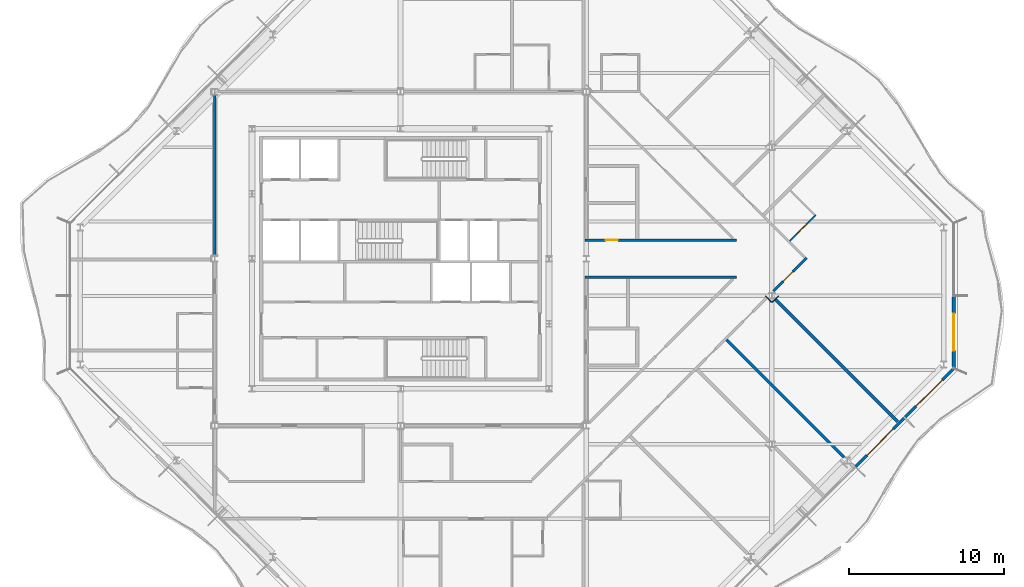
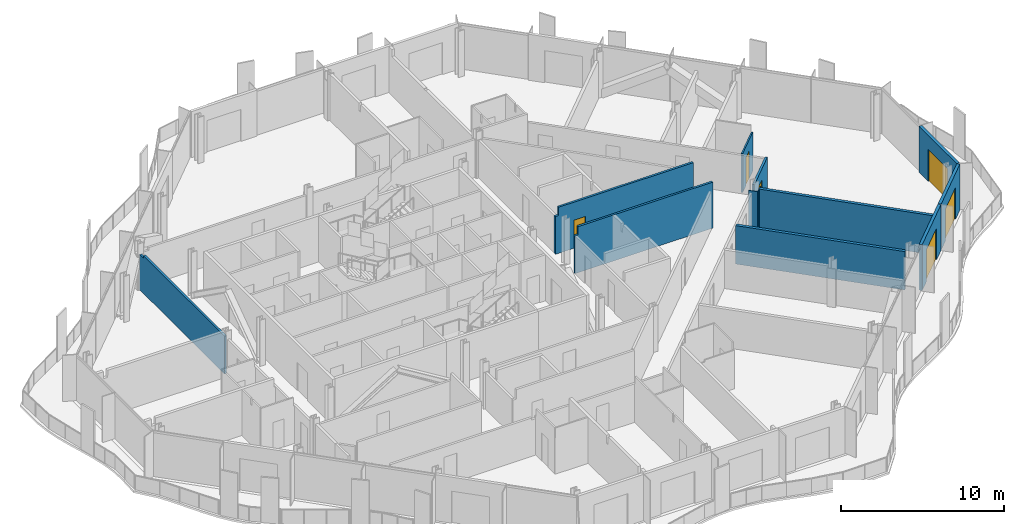
# One storey, part 10 of 17: 12 walls, 6 doors, 6 openings.
"""IFC4 building model written with IfcOpenShell, lengths in metres."""

import ifcopenshell
import ifcopenshell.guid

model = None  # the IFC model being written
_history = None  # IfcOwnerHistory: only IFC2X3 demands one
_inside = {}  # id of a spatial element -> (the spatial element, [elements in it])
_under = {}  # id of a project, library or spatial element -> (it, [spatial elements below it])
_declared = {}  # id of a project -> (the project, [libraries it declares])
_typed = {}  # id of a type object -> (the type object, [elements of that type])
_made_of = {}  # id of a material, layer set ... -> (it, [elements and type objects made of it])


def new_model(schema):
    """Start an empty IFC model of exactly this schema.

    Asked for "IFC4X3", IfcOpenShell would pick the latest addendum, in which some entities
    have other attributes; the version numbers below select the first issue.
    IFC2X3 requires an IfcOwnerHistory on every rooted entity: one is made here for all.
    """
    global model, _history
    if schema == "IFC4X3":
        model = ifcopenshell.file(schema_version=(4, 3, 0, 0))
    else:
        model = ifcopenshell.file(schema=schema)
    _inside.clear()
    _under.clear()
    _declared.clear()
    _typed.clear()
    _made_of.clear()
    _history = None
    if model.schema == "IFC2X3":
        org = make("IfcOrganization", Name="unknown")
        user = make(
            "IfcPersonAndOrganization",
            ThePerson=make("IfcPerson", FamilyName="unknown"),
            TheOrganization=org,
        )
        app = make(
            "IfcApplication",
            ApplicationDeveloper=org,
            Version="unknown",
            ApplicationFullName="unknown",
            ApplicationIdentifier="unknown",
        )
        _history = make(
            "IfcOwnerHistory",
            OwningUser=user,
            OwningApplication=app,
            ChangeAction="ADDED",
            CreationDate=0,
        )
    return model


def make(cls, **values):
    """One entity of the class cls with the attributes given. An attribute that is None is left unset."""
    return model.create_entity(
        cls, **{name: value for name, value in values.items() if value is not None}
    )


def rooted(cls, **values):
    """An entity with a GlobalId (a new one), such as an element, a storey or a relation."""
    return make(cls, GlobalId=ifcopenshell.guid.new(), OwnerHistory=_history, **values)


def si_unit(unit_type, name, prefix=None):
    """IfcSIUnit, for example si_unit("LENGTHUNIT", "METRE", prefix="MILLI")."""
    return make("IfcSIUnit", UnitType=unit_type, Prefix=prefix, Name=name)


def assignment(units):
    """IfcUnitAssignment: the units of a project."""
    return None if units is None else make("IfcUnitAssignment", Units=units)


def point(xyz):
    """IfcCartesianPoint."""
    return None if xyz is None else make("IfcCartesianPoint", Coordinates=xyz)


def direction(xyz):
    """IfcDirection."""
    return None if xyz is None else make("IfcDirection", DirectionRatios=xyz)


def frame(location, z_axis=None, x_axis=None):
    """IfcAxis2Placement3D, a coordinate frame: its origin and axes. An axis left out is left unset."""
    return make(
        "IfcAxis2Placement3D",
        Location=point(location),
        Axis=direction(z_axis),
        RefDirection=direction(x_axis),
    )


def frame_2d(location, x_axis=None):
    """IfcAxis2Placement2D, a coordinate frame in the plane: its origin and x axis."""
    return make(
        "IfcAxis2Placement2D", Location=point(location), RefDirection=direction(x_axis)
    )


def origin():
    """The frame at (0, 0, 0) with its axes left unset."""
    return frame((0.0, 0.0, 0.0))


def place(relative_to, where):
    """IfcLocalPlacement: puts the frame where relative to a parent placement (None: the world)."""
    return make(
        "IfcLocalPlacement", PlacementRelTo=relative_to, RelativePlacement=where
    )


def context(
    kind, dimensions, precision=None, world=None, true_north=None, identifier=None
):
    """IfcGeometricRepresentationContext, for example the 3D "Model" context."""
    return make(
        "IfcGeometricRepresentationContext",
        ContextIdentifier=identifier,
        ContextType=kind,
        CoordinateSpaceDimension=dimensions,
        Precision=precision,
        WorldCoordinateSystem=world,
        TrueNorth=true_north,
    )


def subcontext(parent, identifier, kind, view, scale=None):
    """IfcGeometricRepresentationSubContext, for example "Body" below "Model"."""
    return make(
        "IfcGeometricRepresentationSubContext",
        ContextIdentifier=identifier,
        ContextType=kind,
        ParentContext=parent,
        TargetScale=scale,
        TargetView=view,
    )


def project(units=None, contexts=None):
    """IfcProject with its units and contexts."""
    return rooted(
        "IfcProject",
        Name="project",
        RepresentationContexts=contexts,
        UnitsInContext=assignment(units),
    )


def spatial(cls, under=None, at=None, **own):
    """A site, building, storey or space (cls), placed at a placement, below another one or the project."""
    s = rooted(cls, ObjectPlacement=at, **own)
    if under is not None:
        _under.setdefault(under.id(), (under, []))[1].append(s)
    return s


def polyline(points):
    """IfcPolyline through the points."""
    return make("IfcPolyline", Points=[point(p) for p in points])


def profile(cls, at=None, kind="AREA", **sizes):
    """A parametric profile (cls). Its sizes go by their IFC names, for example OverallWidth=200.0."""
    return make(cls, ProfileType=kind, Position=at, **sizes)


def rectangle(**sizes):
    """IfcRectangleProfileDef."""
    return profile("IfcRectangleProfileDef", **sizes)


def outline(outer, holes=None, kind="AREA"):
    """IfcArbitraryClosedProfileDef: a profile drawn as a closed curve; with holes, ...WithVoids."""
    if holes is None:
        return make("IfcArbitraryClosedProfileDef", ProfileType=kind, OuterCurve=outer)
    return make(
        "IfcArbitraryProfileDefWithVoids",
        ProfileType=kind,
        OuterCurve=outer,
        InnerCurves=holes,
    )


def extrude(swept, where, along, depth):
    """IfcExtrudedAreaSolid: the profile swept, set in the frame where, extruded along a direction by depth."""
    return make(
        "IfcExtrudedAreaSolid",
        SweptArea=swept,
        Position=where,
        ExtrudedDirection=direction(along),
        Depth=depth,
    )


def shape(context_of_items, identifier, shape_type, items):
    """IfcShapeRepresentation: the items that make up one representation, for example the "Body"."""
    return make(
        "IfcShapeRepresentation",
        ContextOfItems=context_of_items,
        RepresentationIdentifier=identifier,
        RepresentationType=shape_type,
        Items=items,
    )


def material(Name=None, Category=None):
    """IfcMaterial."""
    return make("IfcMaterial", Name=Name, Category=Category)


def layer(
    of_material, thickness, ventilated=None, Name=None, Category=None, Priority=None
):
    """IfcMaterialLayer: one layer of a wall or slab, of a material (None: an air gap)."""
    return make(
        "IfcMaterialLayer",
        Material=of_material,
        LayerThickness=thickness,
        IsVentilated=ventilated,
        Name=Name,
        Category=Category,
        Priority=Priority,
    )


def layer_set(layers, Name=None):
    """IfcMaterialLayerSet."""
    return make("IfcMaterialLayerSet", MaterialLayers=layers, LayerSetName=Name)


def made_of(thing, what):
    """Note that an element or type object is made of a material, layer set ...; save() writes the relation."""
    if what is not None:
        _made_of.setdefault(what.id(), (what, []))[1].append(thing)
    return thing


def type_object(cls, material=None, **own):
    """A type object (cls), such as IfcWallType, which elements share."""
    return made_of(rooted(cls, **own), material)


def element(
    cls,
    number,
    at=None,
    inside=None,
    cuts=None,
    type_object=None,
    material=None,
    context=None,
    identifier="Body",
    shape_type=None,
    held_by="IfcProductDefinitionShape",
    body=None,
    shapes=None,
    **own,
):
    """One element of the class cls, such as IfcWall. Its Tag is "e" and its number.

    at: its placement. inside: the storey or other place that contains it. cuts: it is an
    opening in that element (IfcRelVoidsElement). A single representation is given by context,
    identifier, shape_type and body (its items); several are given by shapes. held_by: the class
    of the entity that holds the representations. save() writes the other relations.
    """
    e = rooted(cls, Tag="e%d" % number, ObjectPlacement=at, **own)
    if body is not None:
        shapes = [shape(context, identifier, shape_type, body)]
    if shapes is not None:
        e.Representation = make(held_by, Representations=shapes)
    if inside is not None:
        _inside.setdefault(inside.id(), (inside, []))[1].append(e)
    if cuts is not None:
        rooted(
            "IfcRelVoidsElement", RelatingBuildingElement=cuts, RelatedOpeningElement=e
        )
    if type_object is not None:
        _typed.setdefault(type_object.id(), (type_object, []))[1].append(e)
    return made_of(e, material)


def fill(opening, filler):
    """IfcRelFillsElement: the door or window that sits in an opening."""
    return rooted(
        "IfcRelFillsElement",
        RelatingOpeningElement=opening,
        RelatedBuildingElement=filler,
    )


def aggregate(whole, parts):
    """IfcRelAggregates: a whole, such as a stair, and the parts it consists of."""
    return rooted("IfcRelAggregates", RelatingObject=whole, RelatedObjects=parts)


def save(model, path):
    """Write the relations noted so far, then the file.

    IfcRelAggregates (storeys below a building ...), IfcRelContainedInSpatialStructure (elements
    in a storey), IfcRelDefinesByType, IfcRelAssociatesMaterial and IfcRelDeclares: one each for
    every whole, place, type object, material and project.
    """
    for whole, parts in _under.values():
        aggregate(whole, parts)
    for where, things in _inside.values():
        rooted(
            "IfcRelContainedInSpatialStructure",
            RelatedElements=things,
            RelatingStructure=where,
        )
    for kind, things in _typed.values():
        rooted("IfcRelDefinesByType", RelatedObjects=things, RelatingType=kind)
    for what, things in _made_of.values():
        rooted("IfcRelAssociatesMaterial", RelatedObjects=things, RelatingMaterial=what)
    for by, libraries in _declared.values():
        rooted("IfcRelDeclares", RelatingContext=by, RelatedDefinitions=libraries)
    model.write(path)


model = new_model("IFC4")

# Units and contexts
model_context = context("Model", 3, precision=1e-05, world=origin(), true_north=direction((0.0, 1.0)))
body_context = subcontext(model_context, "Body", "Model", "MODEL_VIEW")
ifc_project = project(units=[si_unit("LENGTHUNIT", "METRE"), si_unit("AREAUNIT", "SQUARE_METRE"), si_unit("VOLUMEUNIT", "CUBIC_METRE"), si_unit("PLANEANGLEUNIT", "RADIAN"), si_unit("MASSUNIT", "GRAM", prefix="KILO")], contexts=[model_context])

# Site, building, storey
site_placement = place(None, origin())
site = spatial("IfcSite", under=ifc_project, at=site_placement, CompositionType="ELEMENT")
building_placement = place(site_placement, origin())
building = spatial("IfcBuilding", under=site, at=building_placement, Name="Cairn Pilgrim Tower", CompositionType="ELEMENT")
storey_placement = place(building_placement, frame((0.0, 0.0, 225.0)))
storey = spatial("IfcBuildingStorey", under=building, at=storey_placement, Name="L57", CompositionType="ELEMENT", Elevation=225.0)

# Wall, opening, door
ifc_material_1 = material(Name="Bronze anodised aluminium insulated sandwich panel with mineral wool fill", Category="aluminium")
ifc_layer_1 = layer(ifc_material_1, 0.199951171875)
ifc_layer_set_1 = layer_set([ifc_layer_1], Name="BRONZE INFILL FRAME WALL 200")
wall_type_1 = type_object("IfcWallType", Name="BRONZE INFILL FRAME WALL 200", PredefinedType="NOTDEFINED", material=ifc_layer_set_1)
wall_1_placement = place(storey_placement, frame((36.6201171875, -11.0263671875, 0.0), z_axis=(0.0, 0.0, 1.0), x_axis=(0.707106781187, 0.707106781187, 0.0)))
wall_1 = element("IfcWall", 1, at=wall_1_placement, inside=storey, type_object=wall_type_1, Name="Bronze infill frame wall IW-SE5", PredefinedType="NOTDEFINED", context=body_context, shape_type="SweptSolid", body=[
    extrude(rectangle(XDim=4.430908203125, YDim=0.199951171875, at=frame_2d((2.21533203125, 0.0))), origin(), (0.0, 0.0, 1.0), 3.449951171875),
])
opening_1_placement = place(wall_1_placement, frame((1.01513671875, 0.0, 0.0)))
opening_1 = element("IfcOpeningElement", 2, at=opening_1_placement, cuts=wall_1, Name="Opening 5704B", PredefinedType="OPENING", context=body_context, shape_type="SweptSolid", body=[
    extrude(rectangle(XDim=2.39990234375, YDim=2.39990234375, at=frame_2d((1.199951171875, 1.199951171875))), frame((0.0, 0.10986328125, 0.0), z_axis=(0.0, -1.0, 0.0), x_axis=(1.0, 0.0, 0.0)), (0.0, 0.0, 1.0), 0.219970703125),
])
ifc_material_2 = material(Name="Bronze anodised aluminium frame with tinted low-E glass", Category="aluminium")
door_type_1 = type_object("IfcDoorType", Name="BALCONY SLIDING DOOR 2400x2400", OperationType="DOUBLE_DOOR_SLIDING", PredefinedType="DOOR", material=ifc_material_2)
door_1_placement = place(opening_1_placement, origin())
door_1 = element("IfcDoor", 3, at=door_1_placement, inside=storey, type_object=door_type_1, Name="Balcony sliding door 5704B", OperationType="SINGLE_SWING_LEFT", OverallHeight=2.39990234375, OverallWidth=2.39990234375, PredefinedType="DOOR", context=body_context, shape_type="SweptSolid", body=[
    extrude(rectangle(XDim=2.39990234375, YDim=2.39990234375, at=frame_2d((1.199951171875, 1.199951171875))), frame((0.0, 0.02490234375, 0.0), z_axis=(0.0, -1.0, 0.0), x_axis=(1.0, 0.0, 0.0)), (0.0, 0.0, 1.0), 0.050048828125),
])
fill(opening_1, door_1)

wall_2_placement = place(storey_placement, frame((39.795654296875, -7.850830078125, 0.0), z_axis=(0.0, 0.0, 1.0), x_axis=(0.707079168996, 0.707134392299, 0.0)))
wall_2 = element("IfcWall", 4, at=wall_2_placement, inside=storey, type_object=wall_type_1, Name="Bronze infill frame wall IW-SE6", PredefinedType="NOTDEFINED", context=body_context, shape_type="SweptSolid", body=[
    extrude(rectangle(XDim=4.4208984375, YDim=0.199951171875, at=frame_2d((2.21044921875, 0.0))), origin(), (0.0, 0.0, 1.0), 3.449951171875),
])
opening_2_placement = place(wall_2_placement, frame((1.015380859375, 0.0, 0.0)))
opening_2 = element("IfcOpeningElement", 5, at=opening_2_placement, cuts=wall_2, Name="Opening 5705B", PredefinedType="OPENING", context=body_context, shape_type="SweptSolid", body=[
    extrude(rectangle(XDim=2.39990234375, YDim=2.39990234375, at=frame_2d((1.199951171875, 1.199951171875))), frame((0.0, 0.10986328125, 0.0), z_axis=(0.0, -1.0, 0.0), x_axis=(1.0, 0.0, 0.0)), (0.0, 0.0, 1.0), 0.219970703125),
])
door_2_placement = place(opening_2_placement, origin())
door_2 = element("IfcDoor", 6, at=door_2_placement, inside=storey, type_object=door_type_1, Name="Balcony sliding door 5705B", OperationType="SINGLE_SWING_LEFT", OverallHeight=2.39990234375, OverallWidth=2.39990234375, PredefinedType="DOOR", context=body_context, shape_type="SweptSolid", body=[
    extrude(rectangle(XDim=2.39990234375, YDim=2.39990234375, at=frame_2d((1.199951171875, 1.199951171875))), frame((0.0, 0.02490234375, 0.0), z_axis=(0.0, -1.0, 0.0), x_axis=(1.0, 0.0, 0.0)), (0.0, 0.0, 1.0), 0.050048828125),
])
fill(opening_2, door_2)

wall_3_placement = place(storey_placement, frame((42.949951171875, -4.656494140625, 0.0), z_axis=(0.0, 0.0, 1.0), x_axis=(0.0, 1.0, 0.0)))
wall_3 = element("IfcWall", 7, at=wall_3_placement, inside=storey, type_object=wall_type_1, Name="Bronze infill frame wall IW-E1", PredefinedType="NOTDEFINED", context=body_context, shape_type="SweptSolid", body=[
    extrude(rectangle(XDim=4.62646484375, YDim=0.199951171875, at=frame_2d((2.313232421875, 0.0))), origin(), (0.0, 0.0, 1.0), 3.449951171875),
])
opening_3_placement = place(wall_3_placement, frame((1.1083984375, 0.0, 0.0)))
opening_3 = element("IfcOpeningElement", 8, at=opening_3_placement, cuts=wall_3, Name="Opening 5705B2", PredefinedType="OPENING", context=body_context, shape_type="SweptSolid", body=[
    extrude(rectangle(XDim=2.39990234375, YDim=2.39990234375, at=frame_2d((1.199951171875, 1.199951171875))), frame((0.0, 0.10986328125, 0.0), z_axis=(0.0, -1.0, 0.0), x_axis=(1.0, 0.0, 0.0)), (0.0, 0.0, 1.0), 0.219970703125),
])
door_3_placement = place(opening_3_placement, origin())
door_3 = element("IfcDoor", 9, at=door_3_placement, inside=storey, type_object=door_type_1, Name="Balcony sliding door 5705B2", OperationType="SINGLE_SWING_LEFT", OverallHeight=2.39990234375, OverallWidth=2.39990234375, PredefinedType="DOOR", context=body_context, shape_type="SweptSolid", body=[
    extrude(rectangle(XDim=2.39990234375, YDim=2.39990234375, at=frame_2d((1.199951171875, 1.199951171875))), frame((0.0, 0.02490234375, 0.0), z_axis=(0.0, -1.0, 0.0), x_axis=(1.0, 0.0, 0.0)), (0.0, 0.0, 1.0), 0.050048828125),
])
fill(opening_3, door_3)

ifc_material_3 = material(Name="Gypsum partition")
ifc_layer_2 = layer(ifc_material_3, 0.10009765625)
ifc_layer_set_2 = layer_set([ifc_layer_2], Name="PARTITION 100 DRYWALL")
wall_type_2 = type_object("IfcWallType", Name="PARTITION 100 DRYWALL", PredefinedType="PARTITIONING", material=ifc_layer_set_2)
wall_4_placement = place(storey_placement, frame((32.35888671875, 3.541015625, 0.0), z_axis=(0.0, 0.0, 1.0), x_axis=(0.707158179099, 0.707055379538, 0.0)))
wall_4 = element("IfcWall", 10, at=wall_4_placement, inside=storey, type_object=wall_type_2, Name="PARTITION W050", PredefinedType="PARTITIONING", context=body_context, shape_type="SweptSolid", body=[
    extrude(rectangle(XDim=2.375, YDim=0.10009765625, at=frame_2d((1.1875, 0.0))), origin(), (0.0, 0.0, 1.0), 2.929931640625),
])
opening_4_placement = place(wall_4_placement, frame((0.72509765625, 0.0, 0.0)))
opening_4 = element("IfcOpeningElement", 11, at=opening_4_placement, cuts=wall_4, Name="Opening 5705A", PredefinedType="OPENING", context=body_context, shape_type="SweptSolid", body=[
    extrude(rectangle(XDim=0.800048828125, YDim=2.10009765625, at=frame_2d((0.39990234375, 1.050048828125))), frame((0.0, 0.06005859375, 0.0), z_axis=(0.0, -1.0, 0.0), x_axis=(1.0, 0.0, 0.0)), (0.0, 0.0, 1.0), 0.1201171875),
])
ifc_material_4 = material(Name="Timber door leaf", Category="wood")
door_type_2 = type_object("IfcDoorType", Name="WC DOOR 800x2100", OperationType="NOTDEFINED", PredefinedType="DOOR", material=ifc_material_4)
door_4_placement = place(opening_4_placement, frame((0.800048828125, 0.0, 0.0), z_axis=(0.0, 0.0, 1.0), x_axis=(-1.0, 0.0, 0.0)))
door_4 = element("IfcDoor", 12, at=door_4_placement, inside=storey, type_object=door_type_2, Name="DOOR 5705A", OperationType="SINGLE_SWING_LEFT", OverallHeight=2.10009765625, OverallWidth=0.800048828125, PredefinedType="DOOR", context=body_context, shape_type="SweptSolid", body=[
    extrude(rectangle(XDim=0.800048828125, YDim=2.10009765625, at=frame_2d((0.39990234375, 1.050048828125))), frame((0.0, 0.02490234375, 0.0), z_axis=(0.0, -1.0, 0.0), x_axis=(1.0, 0.0, 0.0)), (0.0, 0.0, 1.0), 0.050048828125),
])
fill(opening_4, door_4)

ifc_layer_3 = layer(ifc_material_3, 0.14990234375)
ifc_layer_set_3 = layer_set([ifc_layer_3], Name="PARTITION 150 DRYWALL EI 60")
wall_type_3 = type_object("IfcWallType", Name="PARTITION 150 DRYWALL EI 60", PredefinedType="PARTITIONING", material=ifc_layer_set_3)
wall_5_placement = place(storey_placement, frame((31.294921875, 0.301025390625, 0.0), z_axis=(0.0, 0.0, 1.0), x_axis=(0.707146890479, 0.707066669618, 0.0)))
wall_5 = element("IfcWall", 13, at=wall_5_placement, inside=storey, type_object=wall_type_3, Name="PARTITION W045", PredefinedType="PARTITIONING", context=body_context, shape_type="SweptSolid", body=[
    extrude(rectangle(XDim=3.04345703125, YDim=0.14990234375, at=frame_2d((1.521728515625, 0.0))), origin(), (0.0, 0.0, 1.0), 2.929931640625),
])
opening_5_placement = place(wall_5_placement, frame((0.89453125, 0.0, 0.0)))
opening_5 = element("IfcOpeningElement", 14, at=opening_5_placement, cuts=wall_5, Name="Opening 5705", PredefinedType="OPENING", context=body_context, shape_type="SweptSolid", body=[
    extrude(rectangle(XDim=0.89990234375, YDim=2.10009765625, at=frame_2d((0.449951171875, 1.050048828125))), frame((0.0, 0.0849609375, 0.0), z_axis=(0.0, -1.0, 0.0), x_axis=(1.0, 0.0, 0.0)), (0.0, 0.0, 1.0), 0.169921875),
])
door_type_3 = type_object("IfcDoorType", Name="ROOM DOOR 900x2100 FD30S", OperationType="NOTDEFINED", PredefinedType="DOOR", material=ifc_material_4)
door_5_placement = place(opening_5_placement, frame((0.89990234375, 0.0, 0.0), z_axis=(0.0, 0.0, 1.0), x_axis=(-1.0, 0.0, 0.0)))
door_5 = element("IfcDoor", 15, at=door_5_placement, inside=storey, type_object=door_type_3, Name="DOOR 5705", OperationType="SINGLE_SWING_LEFT", OverallHeight=2.10009765625, OverallWidth=0.89990234375, PredefinedType="DOOR", context=body_context, shape_type="SweptSolid", body=[
    extrude(rectangle(XDim=0.89990234375, YDim=2.10009765625, at=frame_2d((0.449951171875, 1.050048828125))), frame((0.0, 0.02490234375, 0.0), z_axis=(0.0, -1.0, 0.0), x_axis=(1.0, 0.0, 0.0)), (0.0, 0.0, 1.0), 0.050048828125),
])
fill(opening_5, door_5)

# Walls
wall_6_placement = place(storey_placement, frame((19.125, 1.199951171875, 0.0), z_axis=(0.0, 0.0, 1.0), x_axis=(1.0, 0.0, 0.0)))
element("IfcWall", 16, at=wall_6_placement, inside=storey, type_object=wall_type_3, Name="PARTITION W046", PredefinedType="PARTITIONING", context=body_context, shape_type="SweptSolid", body=[
    extrude(outline(polyline([(0.0, 0.0), (9.781005859375, 0.0), (9.781005859375, 3.449951171875), (0.22509765625, 3.449951171875), (0.222900390625, 2.830078125), (0.0, 2.830078125), (0.0, 0.0)])), frame((0.0, 0.074951171875, 0.0), z_axis=(0.0, -1.0, 0.0), x_axis=(1.0, 0.0, 0.0)), (0.0, 0.0, 1.0), 0.14990234375),
])
wall_7_placement = place(storey_placement, frame((-4.800048828125, 2.596435546875, 0.0), z_axis=(0.0, 0.0, 1.0), x_axis=(0.0, 1.0, 0.0)))
element("IfcWall", 17, at=wall_7_placement, inside=storey, type_object=wall_type_3, Name="PARTITION W049", PredefinedType="PARTITIONING", context=body_context, shape_type="SweptSolid", body=[
    extrude(outline(polyline([(0.0, 0.0), (10.406982421875, 0.0), (10.406982421875, 2.6298828125), (9.960693359375, 2.6298828125), (9.958740234375, 2.830078125), (0.0, 2.830078125), (0.0, 0.0)])), frame((0.0, 0.074951171875, 0.0), z_axis=(0.0, -1.0, 0.0), x_axis=(1.0, 0.0, 0.0)), (0.0, 0.0, 1.0), 0.14990234375),
])

# Wall, opening, door
wall_8_placement = place(storey_placement, frame((19.125, 3.60009765625, 0.0), z_axis=(0.0, 0.0, 1.0), x_axis=(1.0, 0.0, 0.0)))
wall_8 = element("IfcWall", 18, at=wall_8_placement, inside=storey, type_object=wall_type_3, Name="PARTITION W051", PredefinedType="PARTITIONING", context=body_context, shape_type="SweptSolid", body=[
    extrude(outline(polyline([(0.0, 0.0), (9.781005859375, 0.0), (9.781005859375, 3.449951171875), (0.22509765625, 3.449951171875), (0.222900390625, 2.830078125), (0.0, 2.830078125), (0.0, 0.0)])), frame((0.0, 0.074951171875, 0.0), z_axis=(0.0, -1.0, 0.0), x_axis=(1.0, 0.0, 0.0)), (0.0, 0.0, 1.0), 0.14990234375),
])
opening_6_placement = place(wall_8_placement, frame((1.324951171875, 0.0, 0.0)))
opening_6 = element("IfcOpeningElement", 19, at=opening_6_placement, cuts=wall_8, Name="Opening 5716", PredefinedType="OPENING", context=body_context, shape_type="SweptSolid", body=[
    extrude(rectangle(XDim=0.800048828125, YDim=2.10009765625, at=frame_2d((0.39990234375, 1.050048828125))), frame((0.0, 0.0849609375, 0.0), z_axis=(0.0, -1.0, 0.0), x_axis=(1.0, 0.0, 0.0)), (0.0, 0.0, 1.0), 0.169921875),
])
door_type_4 = type_object("IfcDoorType", Name="WC DOOR 800x2100 FD30S", OperationType="NOTDEFINED", PredefinedType="DOOR", material=ifc_material_4)
door_6_placement = place(opening_6_placement, origin())
door_6 = element("IfcDoor", 20, at=door_6_placement, inside=storey, type_object=door_type_4, Name="DOOR 5716", OperationType="SINGLE_SWING_RIGHT", OverallHeight=2.10009765625, OverallWidth=0.800048828125, PredefinedType="DOOR", context=body_context, shape_type="SweptSolid", body=[
    extrude(rectangle(XDim=0.800048828125, YDim=2.10009765625, at=frame_2d((0.39990234375, 1.050048828125))), frame((0.0, 0.02490234375, 0.0), z_axis=(0.0, -1.0, 0.0), x_axis=(1.0, 0.0, 0.0)), (0.0, 0.0, 1.0), 0.050048828125),
])
fill(opening_6, door_6)

# Walls
ifc_layer_4 = layer(ifc_material_3, 0.050048828125)
ifc_layer_set_4 = layer_set([ifc_layer_4], Name="PARTITION 50 DRYWALL EI 60")
wall_type_4 = type_object("IfcWallType", Name="PARTITION 50 DRYWALL EI 60", PredefinedType="PARTITIONING", material=ifc_layer_set_4)
for number, where, z_axis, x_axis, name in (
    (21, (31.2177734375, -0.413818359375, 0.0), (0.0, 0.0, 1.0), (0.706888841063, 0.707324654159, 0.0), "COLUMN CASING WC03"),
    (22, (31.182373046875, -0.413818359375, 0.0), (0.0, 0.0, 1.0), (-0.706888841063, 0.707324654159, 0.0), "COLUMN CASING WC15"),
):
    element("IfcWall", number, at=place(storey_placement, frame(where, z_axis=z_axis, x_axis=x_axis)), inside=storey, type_object=wall_type_4, Name=name, PredefinedType="PARTITIONING", context=body_context, shape_type="SweptSolid", body=[
        extrude(rectangle(XDim=0.560302734375, YDim=0.050048828125, at=frame_2d((0.2802734375, 0.0))), origin(), (0.0, 0.0, 1.0), 2.8798828125),
    ])
ifc_layer_5 = layer(ifc_material_3, 0.199951171875)
ifc_layer_set_5 = layer_set([ifc_layer_5], Name="SHAFT WALL 200 GYPSUM EI 60")
wall_type_5 = type_object("IfcWallType", Name="SHAFT WALL 200 GYPSUM EI 60", PredefinedType="PARTITIONING", material=ifc_layer_set_5)
wall_9_placement = place(storey_placement, frame((35.860107421875, -10.43603515625, 0.0), z_axis=(0.0, 0.0, 1.0), x_axis=(-0.707106781187, 0.707106781187, 0.0)))
element("IfcWall", 23, at=wall_9_placement, inside=storey, type_object=wall_type_5, Name="PARTITION W027", PredefinedType="PARTITIONING", context=body_context, shape_type="SweptSolid", body=[
    extrude(rectangle(XDim=10.745361328125, YDim=0.199951171875, at=frame_2d((5.37255859375, 0.0))), origin(), (0.0, 0.0, 1.0), 2.8798828125),
])
wall_10_placement = place(storey_placement, frame((39.331298828125, -8.13134765625, 0.0), z_axis=(0.0, 0.0, 1.0), x_axis=(-0.707106781187, 0.707106781187, 0.0)))
element("IfcWall", 24, at=wall_10_placement, inside=storey, type_object=wall_type_5, Name="PARTITION W035", PredefinedType="PARTITIONING", context=body_context, shape_type="SweptSolid", body=[
    extrude(rectangle(XDim=11.219482421875, YDim=0.199951171875, at=frame_2d((5.60986328125, 0.0))), origin(), (0.0, 0.0, 1.0), 2.929931640625),
])

save(model, "model.ifc")
